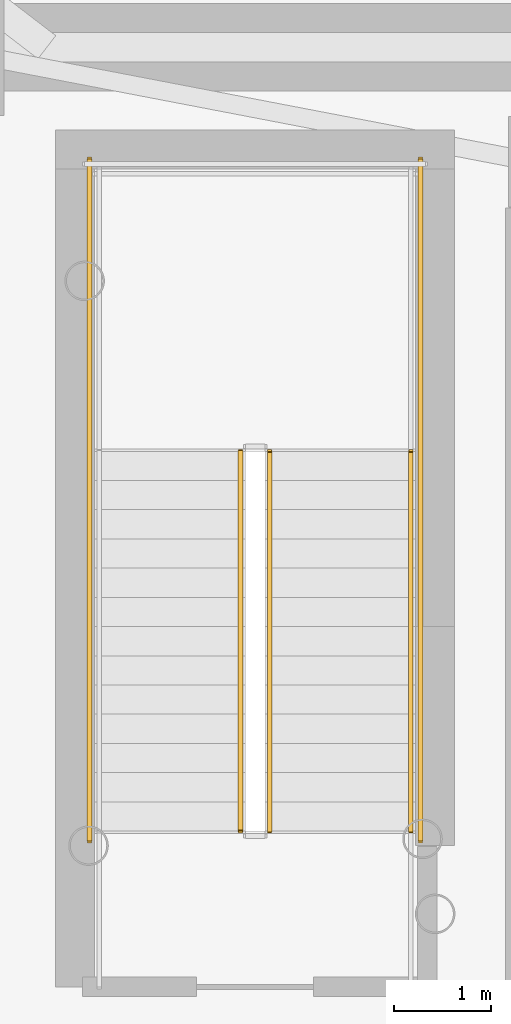
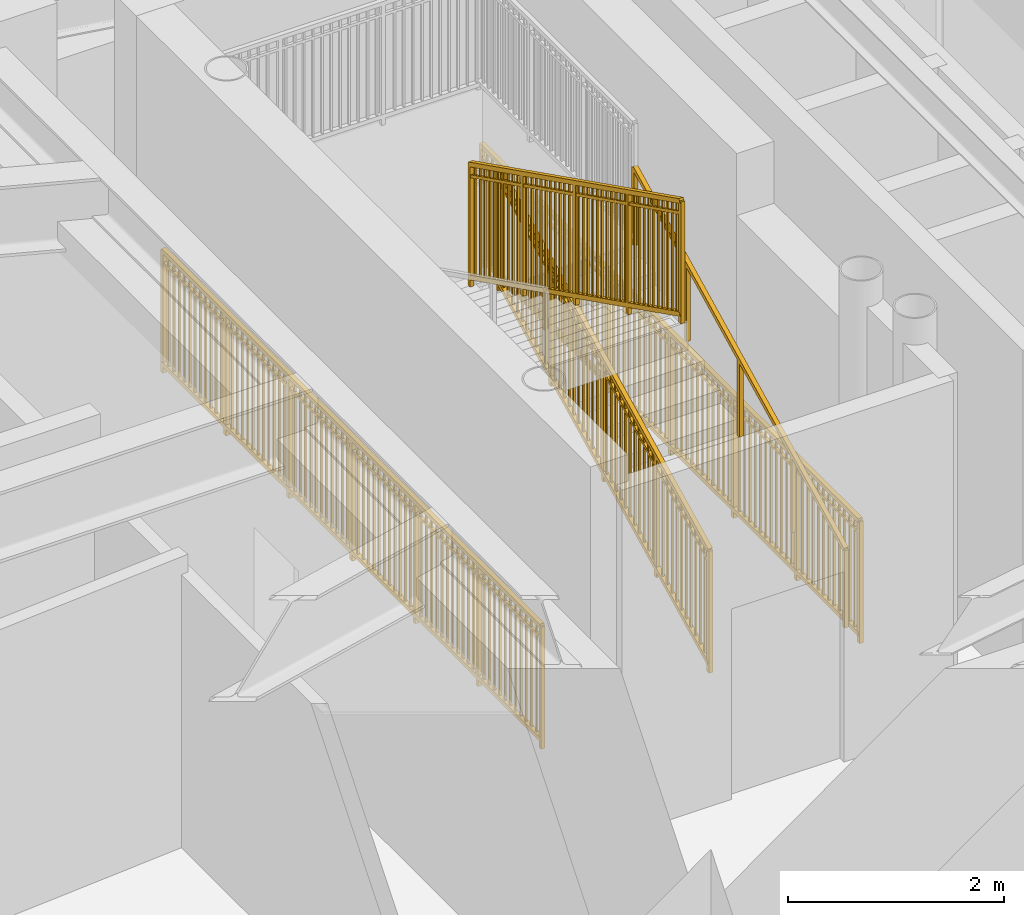
# One storey, part 24 of 31: 5 railings.
"""IFC4 building model written with IfcOpenShell, lengths in metres."""

from ifc_helpers import new_model, si_unit, direction, frame, origin, origin_2d, place, context, subcontext, project, spatial, rectangle, extrude, source, transform, mapped, material, type_object, element, save


model = new_model("IFC4")

# Units and contexts
model_context = context("Model", 3, precision=1e-05, world=origin(), true_north=direction((0.0, 1.0)))
body_context = subcontext(model_context, "Body", "Model", "MODEL_VIEW")
ifc_project = project(units=[si_unit("LENGTHUNIT", "METRE"), si_unit("AREAUNIT", "SQUARE_METRE"), si_unit("VOLUMEUNIT", "CUBIC_METRE"), si_unit("PLANEANGLEUNIT", "RADIAN"), si_unit("MASSUNIT", "GRAM", prefix="KILO")], contexts=[model_context])

# Site, building, storey
site_placement = place(None, origin())
site = spatial("IfcSite", under=ifc_project, at=site_placement, CompositionType="ELEMENT")
building_placement = place(site_placement, origin())
building = spatial("IfcBuilding", under=site, at=building_placement, Name="Linh Dai School and Residence Tower", CompositionType="ELEMENT")
storey_placement = place(building_placement, frame((0.0, 0.0, 6.0)))
storey = spatial("IfcBuildingStorey", under=building, at=storey_placement, Name="L01", CompositionType="ELEMENT", Elevation=6.0)

# Railings
ifc_material_1 = material(Name="Structural Steel S355JR", Category="steel")
railing_type_1 = type_object("IfcRailingType", Name="RL-ST-GUARD-1400", PredefinedType="GUARDRAIL", material=ifc_material_1)
shared_shape_1 = source(origin(), body_context, "Body", "SweptSolid", [
    extrude(rectangle(XDim=0.048095703125, YDim=0.048095703125, at=origin_2d()), frame((0.0, 0.0, 1.3759765625), z_axis=(0.0, 1.0, 0.0), x_axis=(-1.0, 0.0, 0.0)), (0.0, 0.0, 1.0), 7.0),
    extrude(rectangle(XDim=0.048095703125, YDim=0.048095703125, at=origin_2d()), frame((0.0, 0.0, 0.10009765625), z_axis=(0.0, 1.0, 0.0), x_axis=(-1.0, 0.0, 0.0)), (0.0, 0.0, 1.0), 7.0),
    extrude(rectangle(XDim=0.030029296875, YDim=0.030029296875, at=origin_2d()), frame((0.0, 0.0, 1.239990234375), z_axis=(0.0, 1.0, 0.0), x_axis=(-1.0, 0.0, 0.0)), (0.0, 0.0, 1.0), 7.0),
    extrude(rectangle(XDim=0.02001953125, YDim=0.02001953125, at=origin_2d()), frame((0.0, 0.09716796875, 0.10009765625)), (0.0, 0.0, 1.0), 1.251708984375),
    extrude(rectangle(XDim=0.02001953125, YDim=0.02001953125, at=origin_2d()), frame((0.0, 0.1943359375, 0.10009765625)), (0.0, 0.0, 1.0), 1.251708984375),
    extrude(rectangle(XDim=0.02001953125, YDim=0.02001953125, at=origin_2d()), frame((0.0, 0.291748046875, 0.10009765625)), (0.0, 0.0, 1.0), 1.251708984375),
    extrude(rectangle(XDim=0.02001953125, YDim=0.02001953125, at=origin_2d()), frame((0.0, 0.388916015625, 0.10009765625)), (0.0, 0.0, 1.0), 1.251708984375),
    extrude(rectangle(XDim=0.02001953125, YDim=0.02001953125, at=origin_2d()), frame((0.0, 0.486083984375, 0.10009765625)), (0.0, 0.0, 1.0), 1.251708984375),
    extrude(rectangle(XDim=0.02001953125, YDim=0.02001953125, at=origin_2d()), frame((0.0, 0.583251953125, 0.10009765625)), (0.0, 0.0, 1.0), 1.251708984375),
    extrude(rectangle(XDim=0.02001953125, YDim=0.02001953125, at=origin_2d()), frame((0.0, 0.6806640625, 0.10009765625)), (0.0, 0.0, 1.0), 1.251708984375),
    extrude(rectangle(XDim=0.02001953125, YDim=0.02001953125, at=origin_2d()), frame((0.0, 0.77783203125, 0.10009765625)), (0.0, 0.0, 1.0), 1.251708984375),
    extrude(rectangle(XDim=0.02001953125, YDim=0.02001953125, at=origin_2d()), frame((0.0, 0.875, 0.10009765625)), (0.0, 0.0, 1.0), 1.251708984375),
    extrude(rectangle(XDim=0.02001953125, YDim=0.02001953125, at=origin_2d()), frame((0.0, 0.97216796875, 0.10009765625)), (0.0, 0.0, 1.0), 1.251708984375),
    extrude(rectangle(XDim=0.02001953125, YDim=0.02001953125, at=origin_2d()), frame((0.0, 1.0693359375, 0.10009765625)), (0.0, 0.0, 1.0), 1.251708984375),
    extrude(rectangle(XDim=0.02001953125, YDim=0.02001953125, at=origin_2d()), frame((0.0, 1.263916015625, 0.10009765625)), (0.0, 0.0, 1.0), 1.251708984375),
    extrude(rectangle(XDim=0.02001953125, YDim=0.02001953125, at=origin_2d()), frame((0.0, 1.361083984375, 0.10009765625)), (0.0, 0.0, 1.0), 1.251708984375),
    extrude(rectangle(XDim=0.02001953125, YDim=0.02001953125, at=origin_2d()), frame((0.0, 1.458251953125, 0.10009765625)), (0.0, 0.0, 1.0), 1.251708984375),
    extrude(rectangle(XDim=0.02001953125, YDim=0.02001953125, at=origin_2d()), frame((0.0, 1.5556640625, 0.10009765625)), (0.0, 0.0, 1.0), 1.251708984375),
    extrude(rectangle(XDim=0.02001953125, YDim=0.02001953125, at=origin_2d()), frame((0.0, 1.65283203125, 0.10009765625)), (0.0, 0.0, 1.0), 1.251708984375),
    extrude(rectangle(XDim=0.02001953125, YDim=0.02001953125, at=origin_2d()), frame((0.0, 1.75, 0.10009765625)), (0.0, 0.0, 1.0), 1.251708984375),
    extrude(rectangle(XDim=0.02001953125, YDim=0.02001953125, at=origin_2d()), frame((0.0, 1.84716796875, 0.10009765625)), (0.0, 0.0, 1.0), 1.251708984375),
    extrude(rectangle(XDim=0.02001953125, YDim=0.02001953125, at=origin_2d()), frame((0.0, 1.9443359375, 0.10009765625)), (0.0, 0.0, 1.0), 1.251708984375),
    extrude(rectangle(XDim=0.02001953125, YDim=0.02001953125, at=origin_2d()), frame((0.0, 2.041748046875, 0.10009765625)), (0.0, 0.0, 1.0), 1.251708984375),
    extrude(rectangle(XDim=0.02001953125, YDim=0.02001953125, at=origin_2d()), frame((0.0, 2.138916015625, 0.10009765625)), (0.0, 0.0, 1.0), 1.251708984375),
    extrude(rectangle(XDim=0.02001953125, YDim=0.02001953125, at=origin_2d()), frame((0.0, 2.236083984375, 0.10009765625)), (0.0, 0.0, 1.0), 1.251708984375),
    extrude(rectangle(XDim=0.02001953125, YDim=0.02001953125, at=origin_2d()), frame((0.0, 2.4306640625, 0.10009765625)), (0.0, 0.0, 1.0), 1.251708984375),
    extrude(rectangle(XDim=0.02001953125, YDim=0.02001953125, at=origin_2d()), frame((0.0, 2.52783203125, 0.10009765625)), (0.0, 0.0, 1.0), 1.251708984375),
    extrude(rectangle(XDim=0.02001953125, YDim=0.02001953125, at=origin_2d()), frame((0.0, 2.625, 0.10009765625)), (0.0, 0.0, 1.0), 1.251708984375),
    extrude(rectangle(XDim=0.02001953125, YDim=0.02001953125, at=origin_2d()), frame((0.0, 2.72216796875, 0.10009765625)), (0.0, 0.0, 1.0), 1.251708984375),
    extrude(rectangle(XDim=0.02001953125, YDim=0.02001953125, at=origin_2d()), frame((0.0, 2.8193359375, 0.10009765625)), (0.0, 0.0, 1.0), 1.251708984375),
    extrude(rectangle(XDim=0.02001953125, YDim=0.02001953125, at=origin_2d()), frame((0.0, 2.916748046875, 0.10009765625)), (0.0, 0.0, 1.0), 1.251708984375),
    extrude(rectangle(XDim=0.02001953125, YDim=0.02001953125, at=origin_2d()), frame((0.0, 3.013916015625, 0.10009765625)), (0.0, 0.0, 1.0), 1.251708984375),
    extrude(rectangle(XDim=0.02001953125, YDim=0.02001953125, at=origin_2d()), frame((0.0, 3.111083984375, 0.10009765625)), (0.0, 0.0, 1.0), 1.251708984375),
    extrude(rectangle(XDim=0.02001953125, YDim=0.02001953125, at=origin_2d()), frame((0.0, 3.208251953125, 0.10009765625)), (0.0, 0.0, 1.0), 1.251708984375),
    extrude(rectangle(XDim=0.02001953125, YDim=0.02001953125, at=origin_2d()), frame((0.0, 3.3056640625, 0.10009765625)), (0.0, 0.0, 1.0), 1.251708984375),
    extrude(rectangle(XDim=0.02001953125, YDim=0.02001953125, at=origin_2d()), frame((0.0, 3.40283203125, 0.10009765625)), (0.0, 0.0, 1.0), 1.251708984375),
    extrude(rectangle(XDim=0.02001953125, YDim=0.02001953125, at=origin_2d()), frame((0.0, 3.59716796875, 0.10009765625)), (0.0, 0.0, 1.0), 1.251708984375),
    extrude(rectangle(XDim=0.02001953125, YDim=0.02001953125, at=origin_2d()), frame((0.0, 3.6943359375, 0.10009765625)), (0.0, 0.0, 1.0), 1.251708984375),
    extrude(rectangle(XDim=0.02001953125, YDim=0.02001953125, at=origin_2d()), frame((0.0, 3.791748046875, 0.10009765625)), (0.0, 0.0, 1.0), 1.251708984375),
    extrude(rectangle(XDim=0.02001953125, YDim=0.02001953125, at=origin_2d()), frame((0.0, 3.888916015625, 0.10009765625)), (0.0, 0.0, 1.0), 1.251708984375),
    extrude(rectangle(XDim=0.02001953125, YDim=0.02001953125, at=origin_2d()), frame((0.0, 3.986083984375, 0.10009765625)), (0.0, 0.0, 1.0), 1.251708984375),
    extrude(rectangle(XDim=0.02001953125, YDim=0.02001953125, at=origin_2d()), frame((0.0, 4.083251953125, 0.10009765625)), (0.0, 0.0, 1.0), 1.251708984375),
    extrude(rectangle(XDim=0.02001953125, YDim=0.02001953125, at=origin_2d()), frame((0.0, 4.1806640625, 0.10009765625)), (0.0, 0.0, 1.0), 1.251708984375),
    extrude(rectangle(XDim=0.02001953125, YDim=0.02001953125, at=origin_2d()), frame((0.0, 4.27783203125, 0.10009765625)), (0.0, 0.0, 1.0), 1.251708984375),
    extrude(rectangle(XDim=0.02001953125, YDim=0.02001953125, at=origin_2d()), frame((0.0, 4.375, 0.10009765625)), (0.0, 0.0, 1.0), 1.251708984375),
    extrude(rectangle(XDim=0.02001953125, YDim=0.02001953125, at=origin_2d()), frame((0.0, 4.47216796875, 0.10009765625)), (0.0, 0.0, 1.0), 1.251708984375),
    extrude(rectangle(XDim=0.02001953125, YDim=0.02001953125, at=origin_2d()), frame((0.0, 4.5693359375, 0.10009765625)), (0.0, 0.0, 1.0), 1.251708984375),
    extrude(rectangle(XDim=0.02001953125, YDim=0.02001953125, at=origin_2d()), frame((0.0, 4.763916015625, 0.10009765625)), (0.0, 0.0, 1.0), 1.251708984375),
    extrude(rectangle(XDim=0.02001953125, YDim=0.02001953125, at=origin_2d()), frame((0.0, 4.861083984375, 0.10009765625)), (0.0, 0.0, 1.0), 1.251708984375),
    extrude(rectangle(XDim=0.02001953125, YDim=0.02001953125, at=origin_2d()), frame((0.0, 4.958251953125, 0.10009765625)), (0.0, 0.0, 1.0), 1.251708984375),
    extrude(rectangle(XDim=0.02001953125, YDim=0.02001953125, at=origin_2d()), frame((0.0, 5.0556640625, 0.10009765625)), (0.0, 0.0, 1.0), 1.251708984375),
    extrude(rectangle(XDim=0.02001953125, YDim=0.02001953125, at=origin_2d()), frame((0.0, 5.15283203125, 0.10009765625)), (0.0, 0.0, 1.0), 1.251708984375),
    extrude(rectangle(XDim=0.02001953125, YDim=0.02001953125, at=origin_2d()), frame((0.0, 5.25, 0.10009765625)), (0.0, 0.0, 1.0), 1.251708984375),
    extrude(rectangle(XDim=0.02001953125, YDim=0.02001953125, at=origin_2d()), frame((0.0, 5.34716796875, 0.10009765625)), (0.0, 0.0, 1.0), 1.251708984375),
    extrude(rectangle(XDim=0.02001953125, YDim=0.02001953125, at=origin_2d()), frame((0.0, 5.4443359375, 0.10009765625)), (0.0, 0.0, 1.0), 1.251708984375),
    extrude(rectangle(XDim=0.02001953125, YDim=0.02001953125, at=origin_2d()), frame((0.0, 5.541748046875, 0.10009765625)), (0.0, 0.0, 1.0), 1.251708984375),
    extrude(rectangle(XDim=0.02001953125, YDim=0.02001953125, at=origin_2d()), frame((0.0, 5.638916015625, 0.10009765625)), (0.0, 0.0, 1.0), 1.251708984375),
    extrude(rectangle(XDim=0.02001953125, YDim=0.02001953125, at=origin_2d()), frame((0.0, 5.736083984375, 0.10009765625)), (0.0, 0.0, 1.0), 1.251708984375),
    extrude(rectangle(XDim=0.02001953125, YDim=0.02001953125, at=origin_2d()), frame((0.0, 5.9306640625, 0.10009765625)), (0.0, 0.0, 1.0), 1.251708984375),
    extrude(rectangle(XDim=0.02001953125, YDim=0.02001953125, at=origin_2d()), frame((0.0, 6.02783203125, 0.10009765625)), (0.0, 0.0, 1.0), 1.251708984375),
    extrude(rectangle(XDim=0.02001953125, YDim=0.02001953125, at=origin_2d()), frame((0.0, 6.125, 0.10009765625)), (0.0, 0.0, 1.0), 1.251708984375),
    extrude(rectangle(XDim=0.02001953125, YDim=0.02001953125, at=origin_2d()), frame((0.0, 6.22216796875, 0.10009765625)), (0.0, 0.0, 1.0), 1.251708984375),
    extrude(rectangle(XDim=0.02001953125, YDim=0.02001953125, at=origin_2d()), frame((0.0, 6.3193359375, 0.10009765625)), (0.0, 0.0, 1.0), 1.251708984375),
    extrude(rectangle(XDim=0.02001953125, YDim=0.02001953125, at=origin_2d()), frame((0.0, 6.416748046875, 0.10009765625)), (0.0, 0.0, 1.0), 1.251708984375),
    extrude(rectangle(XDim=0.02001953125, YDim=0.02001953125, at=origin_2d()), frame((0.0, 6.513916015625, 0.10009765625)), (0.0, 0.0, 1.0), 1.251708984375),
    extrude(rectangle(XDim=0.02001953125, YDim=0.02001953125, at=origin_2d()), frame((0.0, 6.611083984375, 0.10009765625)), (0.0, 0.0, 1.0), 1.251708984375),
    extrude(rectangle(XDim=0.02001953125, YDim=0.02001953125, at=origin_2d()), frame((0.0, 6.708251953125, 0.10009765625)), (0.0, 0.0, 1.0), 1.251708984375),
    extrude(rectangle(XDim=0.02001953125, YDim=0.02001953125, at=origin_2d()), frame((0.0, 6.8056640625, 0.10009765625)), (0.0, 0.0, 1.0), 1.251708984375),
    extrude(rectangle(XDim=0.02001953125, YDim=0.02001953125, at=origin_2d()), frame((0.0, 6.90283203125, 0.10009765625)), (0.0, 0.0, 1.0), 1.251708984375),
    extrude(rectangle(XDim=0.0419921875, YDim=0.0419921875, at=origin_2d()), origin(), (0.0, 0.0, 1.0), 1.3759765625),
    extrude(rectangle(XDim=0.0419921875, YDim=0.0419921875, at=origin_2d()), frame((0.0, 1.166748046875, 0.0)), (0.0, 0.0, 1.0), 1.3759765625),
    extrude(rectangle(XDim=0.0419921875, YDim=0.0419921875, at=origin_2d()), frame((0.0, 2.333251953125, 0.0)), (0.0, 0.0, 1.0), 1.3759765625),
    extrude(rectangle(XDim=0.0419921875, YDim=0.0419921875, at=origin_2d()), frame((0.0, 3.5, 0.0)), (0.0, 0.0, 1.0), 1.3759765625),
    extrude(rectangle(XDim=0.0419921875, YDim=0.0419921875, at=origin_2d()), frame((0.0, 4.666748046875, 0.0)), (0.0, 0.0, 1.0), 1.3759765625),
    extrude(rectangle(XDim=0.0419921875, YDim=0.0419921875, at=origin_2d()), frame((0.0, 5.833251953125, 0.0)), (0.0, 0.0, 1.0), 1.3759765625),
    extrude(rectangle(XDim=0.0419921875, YDim=0.0419921875, at=origin_2d()), frame((0.0, 7.0, 0.0)), (0.0, 0.0, 1.0), 1.3759765625),
])
for number, where, name in (
    (1, (31.030029296875, 25.60009765625, 0.0), "L01 ST1 stair guard 10"),
    (2, (27.6298828125, 25.60009765625, 0.0), "L01 ST1 stair guard 11"),
):
    element("IfcRailing", number, at=place(storey_placement, frame(where)), inside=storey, type_object=railing_type_1, Name=name, PredefinedType="GUARDRAIL", context=body_context, shape_type="MappedRepresentation", body=[
        mapped(shared_shape_1, transform((0.0, 0.0, 0.0), x_axis=(1.0, 0.0, 0.0), y_axis=(0.0, 1.0, 0.0), z_axis=(0.0, 0.0, 1.0), scale=1.0)),
    ])
shared_shape_2 = source(origin(), body_context, "Body", "SweptSolid", [
    extrude(rectangle(XDim=0.048095703125, YDim=0.048095703125, at=origin_2d()), frame((0.0, 0.0, 1.3759765625), z_axis=(0.0, 0.894415993023, 0.447235990752), x_axis=(-1.0, 0.0, 0.0)), (0.0, 0.0, 1.0), 4.360595703125),
    extrude(rectangle(XDim=0.048095703125, YDim=0.048095703125, at=origin_2d()), frame((0.0, 0.0, 0.10009765625), z_axis=(0.0, 0.894415993023, 0.447235990752), x_axis=(-1.0, 0.0, 0.0)), (0.0, 0.0, 1.0), 4.360595703125),
    extrude(rectangle(XDim=0.030029296875, YDim=0.030029296875, at=origin_2d()), frame((0.0, 0.0, 1.239990234375), z_axis=(0.0, 0.894415993023, 0.447235990752), x_axis=(-1.0, 0.0, 0.0)), (0.0, 0.0, 1.0), 4.360595703125),
    extrude(rectangle(XDim=0.02001953125, YDim=0.02001953125, at=origin_2d()), frame((0.0, 0.086669921875, 0.1435546875)), (0.0, 0.0, 1.0), 1.251708984375),
    extrude(rectangle(XDim=0.02001953125, YDim=0.02001953125, at=origin_2d()), frame((0.0, 0.17333984375, 0.186767578125)), (0.0, 0.0, 1.0), 1.251708984375),
    extrude(rectangle(XDim=0.02001953125, YDim=0.02001953125, at=origin_2d()), frame((0.0, 0.260009765625, 0.230224609375)), (0.0, 0.0, 1.0), 1.251708984375),
    extrude(rectangle(XDim=0.02001953125, YDim=0.02001953125, at=origin_2d()), frame((0.0, 0.3466796875, 0.2734375)), (0.0, 0.0, 1.0), 1.251708984375),
    extrude(rectangle(XDim=0.02001953125, YDim=0.02001953125, at=origin_2d()), frame((0.0, 0.433349609375, 0.31689453125)), (0.0, 0.0, 1.0), 1.251708984375),
    extrude(rectangle(XDim=0.02001953125, YDim=0.02001953125, at=origin_2d()), frame((0.0, 0.52001953125, 0.360107421875)), (0.0, 0.0, 1.0), 1.251708984375),
    extrude(rectangle(XDim=0.02001953125, YDim=0.02001953125, at=origin_2d()), frame((0.0, 0.606689453125, 0.403564453125)), (0.0, 0.0, 1.0), 1.251708984375),
    extrude(rectangle(XDim=0.02001953125, YDim=0.02001953125, at=origin_2d()), frame((0.0, 0.693359375, 0.44677734375)), (0.0, 0.0, 1.0), 1.251708984375),
    extrude(rectangle(XDim=0.02001953125, YDim=0.02001953125, at=origin_2d()), frame((0.0, 0.780029296875, 0.490234375)), (0.0, 0.0, 1.0), 1.251708984375),
    extrude(rectangle(XDim=0.02001953125, YDim=0.02001953125, at=origin_2d()), frame((0.0, 0.86669921875, 0.533447265625)), (0.0, 0.0, 1.0), 1.251708984375),
    extrude(rectangle(XDim=0.02001953125, YDim=0.02001953125, at=origin_2d()), frame((0.0, 1.0400390625, 0.6201171875)), (0.0, 0.0, 1.0), 1.251708984375),
    extrude(rectangle(XDim=0.02001953125, YDim=0.02001953125, at=origin_2d()), frame((0.0, 1.126708984375, 0.66357421875)), (0.0, 0.0, 1.0), 1.251708984375),
    extrude(rectangle(XDim=0.02001953125, YDim=0.02001953125, at=origin_2d()), frame((0.0, 1.21337890625, 0.706787109375)), (0.0, 0.0, 1.0), 1.251708984375),
    extrude(rectangle(XDim=0.02001953125, YDim=0.02001953125, at=origin_2d()), frame((0.0, 1.300048828125, 0.750244140625)), (0.0, 0.0, 1.0), 1.251708984375),
    extrude(rectangle(XDim=0.02001953125, YDim=0.02001953125, at=origin_2d()), frame((0.0, 1.38671875, 0.79345703125)), (0.0, 0.0, 1.0), 1.251708984375),
    extrude(rectangle(XDim=0.02001953125, YDim=0.02001953125, at=origin_2d()), frame((0.0, 1.473388671875, 0.8369140625)), (0.0, 0.0, 1.0), 1.251708984375),
    extrude(rectangle(XDim=0.02001953125, YDim=0.02001953125, at=origin_2d()), frame((0.0, 1.56005859375, 0.880126953125)), (0.0, 0.0, 1.0), 1.251708984375),
    extrude(rectangle(XDim=0.02001953125, YDim=0.02001953125, at=origin_2d()), frame((0.0, 1.646728515625, 0.923583984375)), (0.0, 0.0, 1.0), 1.251708984375),
    extrude(rectangle(XDim=0.02001953125, YDim=0.02001953125, at=origin_2d()), frame((0.0, 1.7333984375, 0.966796875)), (0.0, 0.0, 1.0), 1.251708984375),
    extrude(rectangle(XDim=0.02001953125, YDim=0.02001953125, at=origin_2d()), frame((0.0, 1.820068359375, 1.01025390625)), (0.0, 0.0, 1.0), 1.251708984375),
    extrude(rectangle(XDim=0.02001953125, YDim=0.02001953125, at=origin_2d()), frame((0.0, 1.90673828125, 1.053466796875)), (0.0, 0.0, 1.0), 1.251708984375),
    extrude(rectangle(XDim=0.02001953125, YDim=0.02001953125, at=origin_2d()), frame((0.0, 1.993408203125, 1.096923828125)), (0.0, 0.0, 1.0), 1.251708984375),
    extrude(rectangle(XDim=0.02001953125, YDim=0.02001953125, at=origin_2d()), frame((0.0, 2.080078125, 1.14013671875)), (0.0, 0.0, 1.0), 1.251708984375),
    extrude(rectangle(XDim=0.02001953125, YDim=0.02001953125, at=origin_2d()), frame((0.0, 2.166748046875, 1.18359375)), (0.0, 0.0, 1.0), 1.251708984375),
    extrude(rectangle(XDim=0.02001953125, YDim=0.02001953125, at=origin_2d()), frame((0.0, 2.25341796875, 1.226806640625)), (0.0, 0.0, 1.0), 1.251708984375),
    extrude(rectangle(XDim=0.02001953125, YDim=0.02001953125, at=origin_2d()), frame((0.0, 2.340087890625, 1.270263671875)), (0.0, 0.0, 1.0), 1.251708984375),
    extrude(rectangle(XDim=0.02001953125, YDim=0.02001953125, at=origin_2d()), frame((0.0, 2.4267578125, 1.3134765625)), (0.0, 0.0, 1.0), 1.251708984375),
    extrude(rectangle(XDim=0.02001953125, YDim=0.02001953125, at=origin_2d()), frame((0.0, 2.513427734375, 1.35693359375)), (0.0, 0.0, 1.0), 1.251708984375),
    extrude(rectangle(XDim=0.02001953125, YDim=0.02001953125, at=origin_2d()), frame((0.0, 2.60009765625, 1.400146484375)), (0.0, 0.0, 1.0), 1.251708984375),
    extrude(rectangle(XDim=0.02001953125, YDim=0.02001953125, at=origin_2d()), frame((0.0, 2.686767578125, 1.443603515625)), (0.0, 0.0, 1.0), 1.251708984375),
    extrude(rectangle(XDim=0.02001953125, YDim=0.02001953125, at=origin_2d()), frame((0.0, 2.7734375, 1.48681640625)), (0.0, 0.0, 1.0), 1.251708984375),
    extrude(rectangle(XDim=0.02001953125, YDim=0.02001953125, at=origin_2d()), frame((0.0, 2.860107421875, 1.5302734375)), (0.0, 0.0, 1.0), 1.251708984375),
    extrude(rectangle(XDim=0.02001953125, YDim=0.02001953125, at=origin_2d()), frame((0.0, 3.033447265625, 1.616943359375)), (0.0, 0.0, 1.0), 1.251708984375),
    extrude(rectangle(XDim=0.02001953125, YDim=0.02001953125, at=origin_2d()), frame((0.0, 3.1201171875, 1.66015625)), (0.0, 0.0, 1.0), 1.251708984375),
    extrude(rectangle(XDim=0.02001953125, YDim=0.02001953125, at=origin_2d()), frame((0.0, 3.206787109375, 1.70361328125)), (0.0, 0.0, 1.0), 1.251708984375),
    extrude(rectangle(XDim=0.02001953125, YDim=0.02001953125, at=origin_2d()), frame((0.0, 3.29345703125, 1.746826171875)), (0.0, 0.0, 1.0), 1.251708984375),
    extrude(rectangle(XDim=0.02001953125, YDim=0.02001953125, at=origin_2d()), frame((0.0, 3.380126953125, 1.790283203125)), (0.0, 0.0, 1.0), 1.251708984375),
    extrude(rectangle(XDim=0.02001953125, YDim=0.02001953125, at=origin_2d()), frame((0.0, 3.466796875, 1.83349609375)), (0.0, 0.0, 1.0), 1.251708984375),
    extrude(rectangle(XDim=0.02001953125, YDim=0.02001953125, at=origin_2d()), frame((0.0, 3.553466796875, 1.876953125)), (0.0, 0.0, 1.0), 1.251708984375),
    extrude(rectangle(XDim=0.02001953125, YDim=0.02001953125, at=origin_2d()), frame((0.0, 3.64013671875, 1.920166015625)), (0.0, 0.0, 1.0), 1.251708984375),
    extrude(rectangle(XDim=0.02001953125, YDim=0.02001953125, at=origin_2d()), frame((0.0, 3.726806640625, 1.963623046875)), (0.0, 0.0, 1.0), 1.251708984375),
    extrude(rectangle(XDim=0.02001953125, YDim=0.02001953125, at=origin_2d()), frame((0.0, 3.8134765625, 2.0068359375)), (0.0, 0.0, 1.0), 1.251708984375),
    extrude(rectangle(XDim=0.0419921875, YDim=0.0419921875, at=origin_2d()), origin(), (0.0, 0.0, 1.0), 1.3759765625),
    extrude(rectangle(XDim=0.0419921875, YDim=0.0419921875, at=origin_2d()), frame((0.0, 0.97509765625, 0.487548828125)), (0.0, 0.0, 1.0), 1.3759765625),
    extrude(rectangle(XDim=0.0419921875, YDim=0.0419921875, at=origin_2d()), frame((0.0, 1.9501953125, 0.97509765625)), (0.0, 0.0, 1.0), 1.3759765625),
    extrude(rectangle(XDim=0.0419921875, YDim=0.0419921875, at=origin_2d()), frame((0.0, 2.925048828125, 1.462646484375)), (0.0, 0.0, 1.0), 1.3759765625),
    extrude(rectangle(XDim=0.0419921875, YDim=0.0419921875, at=origin_2d()), frame((0.0, 3.900146484375, 1.9501953125)), (0.0, 0.0, 1.0), 1.3759765625),
])
railing_1_placement = place(storey_placement, frame((29.47998046875, 25.699951171875, 0.14990234375)))
element("IfcRailing", 3, at=railing_1_placement, inside=storey, type_object=railing_type_1, Name="L01 ST1 stair guard 1", PredefinedType="GUARDRAIL", context=body_context, shape_type="MappedRepresentation", body=[
    mapped(shared_shape_2, transform((0.0, 0.0, 0.0), x_axis=(1.0, 0.0, 0.0), y_axis=(0.0, 1.0, 0.0), z_axis=(0.0, 0.0, 1.0), scale=1.0)),
])
shared_shape_3 = source(origin(), body_context, "Body", "SweptSolid", [
    extrude(rectangle(XDim=0.048095703125, YDim=0.048095703125, at=origin_2d()), frame((0.0, 0.0, 1.3759765625), z_axis=(0.0, -0.894438388696, 0.447191199406), x_axis=(1.0, 0.0, 0.0)), (0.0, 0.0, 1.0), 4.3603515625),
    extrude(rectangle(XDim=0.048095703125, YDim=0.048095703125, at=origin_2d()), frame((0.0, 0.0, 0.10009765625), z_axis=(0.0, -0.894438388696, 0.447191199406), x_axis=(1.0, 0.0, 0.0)), (0.0, 0.0, 1.0), 4.3603515625),
    extrude(rectangle(XDim=0.030029296875, YDim=0.030029296875, at=origin_2d()), frame((0.0, 0.0, 1.239990234375), z_axis=(0.0, -0.894438388696, 0.447191199406), x_axis=(1.0, 0.0, 0.0)), (0.0, 0.0, 1.0), 4.3603515625),
    extrude(rectangle(XDim=0.02001953125, YDim=0.02001953125, at=origin_2d()), frame((0.0, -0.086669921875, 0.143310546875)), (0.0, 0.0, 1.0), 1.251708984375),
    extrude(rectangle(XDim=0.02001953125, YDim=0.02001953125, at=origin_2d()), frame((0.0, -0.17333984375, 0.186767578125)), (0.0, 0.0, 1.0), 1.251708984375),
    extrude(rectangle(XDim=0.02001953125, YDim=0.02001953125, at=origin_2d()), frame((0.0, -0.260009765625, 0.22998046875)), (0.0, 0.0, 1.0), 1.251708984375),
    extrude(rectangle(XDim=0.02001953125, YDim=0.02001953125, at=origin_2d()), frame((0.0, -0.3466796875, 0.2734375)), (0.0, 0.0, 1.0), 1.251708984375),
    extrude(rectangle(XDim=0.02001953125, YDim=0.02001953125, at=origin_2d()), frame((0.0, -0.433349609375, 0.316650390625)), (0.0, 0.0, 1.0), 1.251708984375),
    extrude(rectangle(XDim=0.02001953125, YDim=0.02001953125, at=origin_2d()), frame((0.0, -0.52001953125, 0.360107421875)), (0.0, 0.0, 1.0), 1.251708984375),
    extrude(rectangle(XDim=0.02001953125, YDim=0.02001953125, at=origin_2d()), frame((0.0, -0.606689453125, 0.4033203125)), (0.0, 0.0, 1.0), 1.251708984375),
    extrude(rectangle(XDim=0.02001953125, YDim=0.02001953125, at=origin_2d()), frame((0.0, -0.693359375, 0.44677734375)), (0.0, 0.0, 1.0), 1.251708984375),
    extrude(rectangle(XDim=0.02001953125, YDim=0.02001953125, at=origin_2d()), frame((0.0, -0.780029296875, 0.489990234375)), (0.0, 0.0, 1.0), 1.251708984375),
    extrude(rectangle(XDim=0.02001953125, YDim=0.02001953125, at=origin_2d()), frame((0.0, -0.86669921875, 0.533447265625)), (0.0, 0.0, 1.0), 1.251708984375),
    extrude(rectangle(XDim=0.02001953125, YDim=0.02001953125, at=origin_2d()), frame((0.0, -1.0400390625, 0.6201171875)), (0.0, 0.0, 1.0), 1.251708984375),
    extrude(rectangle(XDim=0.02001953125, YDim=0.02001953125, at=origin_2d()), frame((0.0, -1.126708984375, 0.663330078125)), (0.0, 0.0, 1.0), 1.251708984375),
    extrude(rectangle(XDim=0.02001953125, YDim=0.02001953125, at=origin_2d()), frame((0.0, -1.21337890625, 0.706787109375)), (0.0, 0.0, 1.0), 1.251708984375),
    extrude(rectangle(XDim=0.02001953125, YDim=0.02001953125, at=origin_2d()), frame((0.0, -1.300048828125, 0.75)), (0.0, 0.0, 1.0), 1.251708984375),
    extrude(rectangle(XDim=0.02001953125, YDim=0.02001953125, at=origin_2d()), frame((0.0, -1.38671875, 0.79345703125)), (0.0, 0.0, 1.0), 1.251708984375),
    extrude(rectangle(XDim=0.02001953125, YDim=0.02001953125, at=origin_2d()), frame((0.0, -1.473388671875, 0.836669921875)), (0.0, 0.0, 1.0), 1.251708984375),
    extrude(rectangle(XDim=0.02001953125, YDim=0.02001953125, at=origin_2d()), frame((0.0, -1.56005859375, 0.880126953125)), (0.0, 0.0, 1.0), 1.251708984375),
    extrude(rectangle(XDim=0.02001953125, YDim=0.02001953125, at=origin_2d()), frame((0.0, -1.646728515625, 0.92333984375)), (0.0, 0.0, 1.0), 1.251708984375),
    extrude(rectangle(XDim=0.02001953125, YDim=0.02001953125, at=origin_2d()), frame((0.0, -1.7333984375, 0.966796875)), (0.0, 0.0, 1.0), 1.251708984375),
    extrude(rectangle(XDim=0.02001953125, YDim=0.02001953125, at=origin_2d()), frame((0.0, -1.820068359375, 1.010009765625)), (0.0, 0.0, 1.0), 1.251708984375),
    extrude(rectangle(XDim=0.02001953125, YDim=0.02001953125, at=origin_2d()), frame((0.0, -1.90673828125, 1.053466796875)), (0.0, 0.0, 1.0), 1.251708984375),
    extrude(rectangle(XDim=0.02001953125, YDim=0.02001953125, at=origin_2d()), frame((0.0, -1.993408203125, 1.0966796875)), (0.0, 0.0, 1.0), 1.251708984375),
    extrude(rectangle(XDim=0.02001953125, YDim=0.02001953125, at=origin_2d()), frame((0.0, -2.080078125, 1.14013671875)), (0.0, 0.0, 1.0), 1.251708984375),
    extrude(rectangle(XDim=0.02001953125, YDim=0.02001953125, at=origin_2d()), frame((0.0, -2.166748046875, 1.183349609375)), (0.0, 0.0, 1.0), 1.251708984375),
    extrude(rectangle(XDim=0.02001953125, YDim=0.02001953125, at=origin_2d()), frame((0.0, -2.25341796875, 1.226806640625)), (0.0, 0.0, 1.0), 1.251708984375),
    extrude(rectangle(XDim=0.02001953125, YDim=0.02001953125, at=origin_2d()), frame((0.0, -2.340087890625, 1.27001953125)), (0.0, 0.0, 1.0), 1.251708984375),
    extrude(rectangle(XDim=0.02001953125, YDim=0.02001953125, at=origin_2d()), frame((0.0, -2.4267578125, 1.3134765625)), (0.0, 0.0, 1.0), 1.251708984375),
    extrude(rectangle(XDim=0.02001953125, YDim=0.02001953125, at=origin_2d()), frame((0.0, -2.513427734375, 1.356689453125)), (0.0, 0.0, 1.0), 1.251708984375),
    extrude(rectangle(XDim=0.02001953125, YDim=0.02001953125, at=origin_2d()), frame((0.0, -2.60009765625, 1.400146484375)), (0.0, 0.0, 1.0), 1.251708984375),
    extrude(rectangle(XDim=0.02001953125, YDim=0.02001953125, at=origin_2d()), frame((0.0, -2.686767578125, 1.443359375)), (0.0, 0.0, 1.0), 1.251708984375),
    extrude(rectangle(XDim=0.02001953125, YDim=0.02001953125, at=origin_2d()), frame((0.0, -2.7734375, 1.48681640625)), (0.0, 0.0, 1.0), 1.251708984375),
    extrude(rectangle(XDim=0.02001953125, YDim=0.02001953125, at=origin_2d()), frame((0.0, -2.860107421875, 1.530029296875)), (0.0, 0.0, 1.0), 1.251708984375),
    extrude(rectangle(XDim=0.02001953125, YDim=0.02001953125, at=origin_2d()), frame((0.0, -3.033447265625, 1.61669921875)), (0.0, 0.0, 1.0), 1.251708984375),
    extrude(rectangle(XDim=0.02001953125, YDim=0.02001953125, at=origin_2d()), frame((0.0, -3.1201171875, 1.66015625)), (0.0, 0.0, 1.0), 1.251708984375),
    extrude(rectangle(XDim=0.02001953125, YDim=0.02001953125, at=origin_2d()), frame((0.0, -3.206787109375, 1.703369140625)), (0.0, 0.0, 1.0), 1.251708984375),
    extrude(rectangle(XDim=0.02001953125, YDim=0.02001953125, at=origin_2d()), frame((0.0, -3.29345703125, 1.746826171875)), (0.0, 0.0, 1.0), 1.251708984375),
    extrude(rectangle(XDim=0.02001953125, YDim=0.02001953125, at=origin_2d()), frame((0.0, -3.380126953125, 1.7900390625)), (0.0, 0.0, 1.0), 1.251708984375),
    extrude(rectangle(XDim=0.02001953125, YDim=0.02001953125, at=origin_2d()), frame((0.0, -3.466796875, 1.83349609375)), (0.0, 0.0, 1.0), 1.251708984375),
    extrude(rectangle(XDim=0.02001953125, YDim=0.02001953125, at=origin_2d()), frame((0.0, -3.553466796875, 1.876708984375)), (0.0, 0.0, 1.0), 1.251708984375),
    extrude(rectangle(XDim=0.02001953125, YDim=0.02001953125, at=origin_2d()), frame((0.0, -3.64013671875, 1.920166015625)), (0.0, 0.0, 1.0), 1.251708984375),
    extrude(rectangle(XDim=0.02001953125, YDim=0.02001953125, at=origin_2d()), frame((0.0, -3.726806640625, 1.96337890625)), (0.0, 0.0, 1.0), 1.251708984375),
    extrude(rectangle(XDim=0.02001953125, YDim=0.02001953125, at=origin_2d()), frame((0.0, -3.8134765625, 2.0068359375)), (0.0, 0.0, 1.0), 1.251708984375),
    extrude(rectangle(XDim=0.0419921875, YDim=0.0419921875, at=origin_2d()), origin(), (0.0, 0.0, 1.0), 1.3759765625),
    extrude(rectangle(XDim=0.0419921875, YDim=0.0419921875, at=origin_2d()), frame((0.0, -0.97509765625, 0.487548828125)), (0.0, 0.0, 1.0), 1.3759765625),
    extrude(rectangle(XDim=0.0419921875, YDim=0.0419921875, at=origin_2d()), frame((0.0, -1.9501953125, 0.97509765625)), (0.0, 0.0, 1.0), 1.3759765625),
    extrude(rectangle(XDim=0.0419921875, YDim=0.0419921875, at=origin_2d()), frame((0.0, -2.925048828125, 1.46240234375)), (0.0, 0.0, 1.0), 1.3759765625),
    extrude(rectangle(XDim=0.0419921875, YDim=0.0419921875, at=origin_2d()), frame((0.0, -3.900146484375, 1.949951171875)), (0.0, 0.0, 1.0), 1.3759765625),
])
railing_2_placement = place(storey_placement, frame((29.179931640625, 29.60009765625, 2.25)))
element("IfcRailing", 4, at=railing_2_placement, inside=storey, type_object=railing_type_1, Name="L01 ST1 stair guard 6", PredefinedType="GUARDRAIL", context=body_context, shape_type="MappedRepresentation", body=[
    mapped(shared_shape_3, transform((0.0, 0.0, 0.0), x_axis=(1.0, 0.0, 0.0), y_axis=(0.0, 1.0, 0.0), z_axis=(0.0, 0.0, 1.0), scale=1.0)),
])
ifc_material_2 = material(Name="Brushed Stainless Steel Handrail", Category="steel")
railing_type_2 = type_object("IfcRailingType", Name="RL-ST-HANDRAIL-900", PredefinedType="HANDRAIL", material=ifc_material_2)
shared_shape_4 = source(origin(), body_context, "Body", "SweptSolid", [
    extrude(rectangle(XDim=0.048095703125, YDim=0.048095703125, at=origin_2d()), frame((0.0, 0.0, 0.8759765625), z_axis=(0.0, 0.894415993023, 0.447235990752), x_axis=(-1.0, 0.0, 0.0)), (0.0, 0.0, 1.0), 4.360595703125),
    extrude(rectangle(XDim=0.0419921875, YDim=0.0419921875, at=origin_2d()), origin(), (0.0, 0.0, 1.0), 0.8759765625),
    extrude(rectangle(XDim=0.0419921875, YDim=0.0419921875, at=origin_2d()), frame((0.0, 0.97509765625, 0.487548828125)), (0.0, 0.0, 1.0), 0.8759765625),
    extrude(rectangle(XDim=0.0419921875, YDim=0.0419921875, at=origin_2d()), frame((0.0, 1.9501953125, 0.97509765625)), (0.0, 0.0, 1.0), 0.8759765625),
    extrude(rectangle(XDim=0.0419921875, YDim=0.0419921875, at=origin_2d()), frame((0.0, 2.925048828125, 1.462646484375)), (0.0, 0.0, 1.0), 0.8759765625),
    extrude(rectangle(XDim=0.0419921875, YDim=0.0419921875, at=origin_2d()), frame((0.0, 3.900146484375, 1.9501953125)), (0.0, 0.0, 1.0), 0.8759765625),
])
railing_3_placement = place(storey_placement, frame((30.929931640625, 25.699951171875, 0.14990234375)))
element("IfcRailing", 5, at=railing_3_placement, inside=storey, type_object=railing_type_2, Name="L01 ST1 stair handrail 1", PredefinedType="HANDRAIL", context=body_context, shape_type="MappedRepresentation", body=[
    mapped(shared_shape_4, transform((0.0, 0.0, 0.0), x_axis=(1.0, 0.0, 0.0), y_axis=(0.0, 1.0, 0.0), z_axis=(0.0, 0.0, 1.0), scale=1.0)),
])

save(model, "model.ifc")
